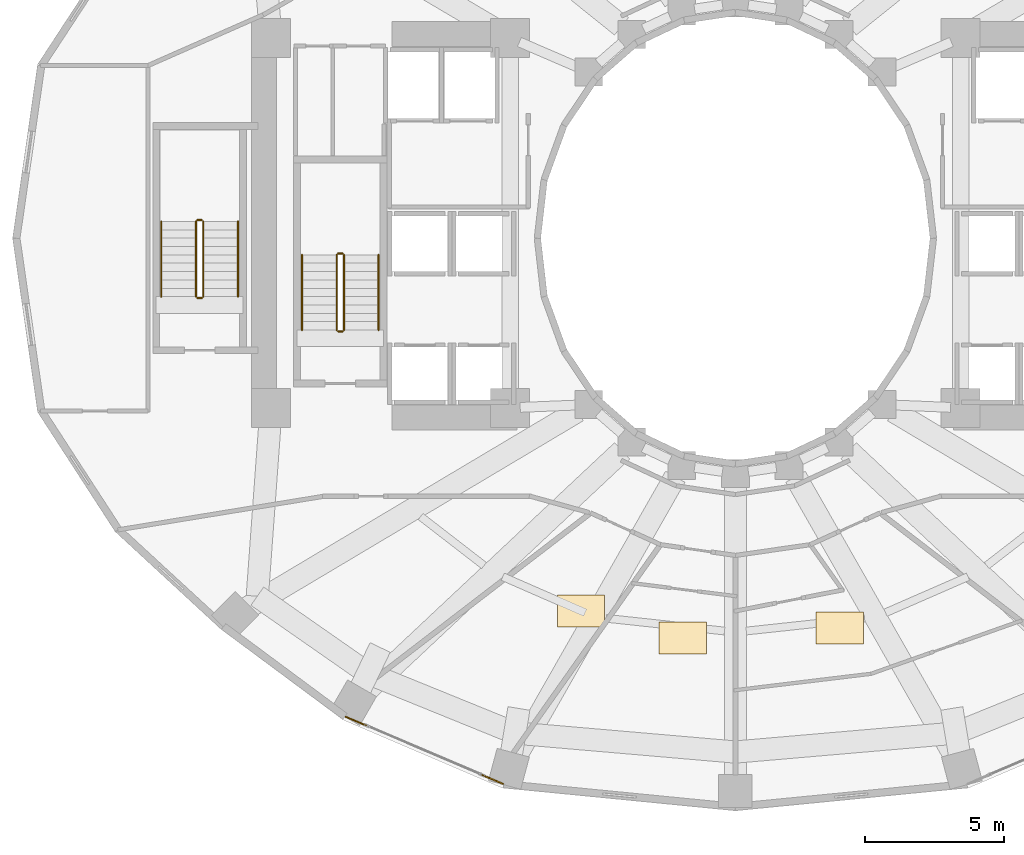
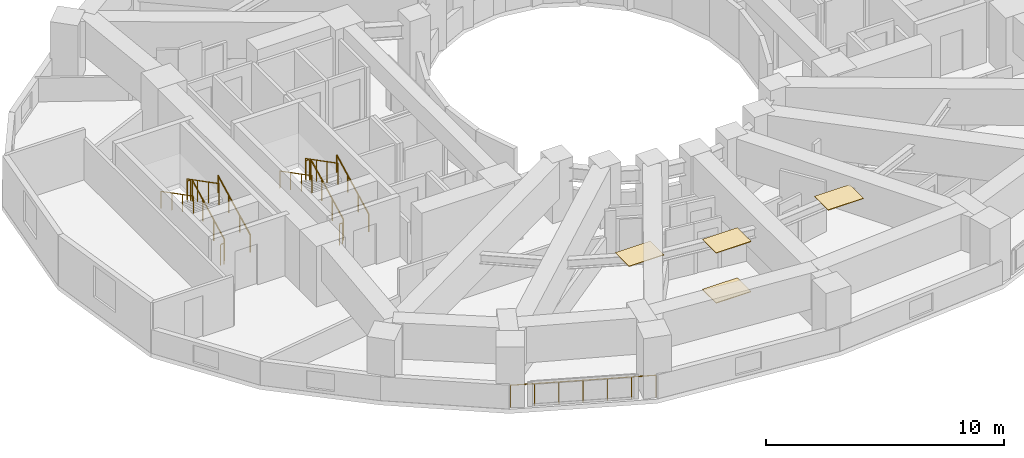
# One storey, part 14 of 16: 13 railings, 4 coverings.
"""IFC4 building model written with IfcOpenShell, lengths in metres."""

from ifc_helpers import new_model, si_unit, direction, frame, origin, origin_2d, place, context, subcontext, project, spatial, polyline, circle, outline, extrude, material, layer, layer_set, type_object, element, save


model = new_model("IFC4")

# Units and contexts
model_context = context("Model", 3, precision=1e-05, world=origin(), true_north=direction((0.0, 1.0)))
body_context = subcontext(model_context, "Body", "Model", "MODEL_VIEW")
ifc_project = project(units=[si_unit("LENGTHUNIT", "METRE"), si_unit("AREAUNIT", "SQUARE_METRE"), si_unit("VOLUMEUNIT", "CUBIC_METRE"), si_unit("PLANEANGLEUNIT", "RADIAN"), si_unit("MASSUNIT", "GRAM", prefix="KILO")], contexts=[model_context])

# Site, building, storey
site_placement = place(None, origin())
site = spatial("IfcSite", under=ifc_project, at=site_placement, CompositionType="ELEMENT")
building_placement = place(site_placement, origin())
building = spatial("IfcBuilding", under=site, at=building_placement, Name="Solvane Sanctuary Tower", CompositionType="ELEMENT")
storey_placement = place(building_placement, frame((0.0, 0.0, 61.699951171875)))
storey = spatial("IfcBuildingStorey", under=building, at=storey_placement, Name="L18", CompositionType="ELEMENT", Elevation=61.699951171875)

# Coverings
ifc_material_1 = material(Name="Acoustic Gypsum Partition Board")
ifc_layer_1 = layer(ifc_material_1, 0.02490234375, Name="Acoustic Gypsum Partition Board")
ifc_layer_set_1 = layer_set([ifc_layer_1], Name="Acoustic Gypsum Partition Board")
covering_type_1 = type_object("IfcCoveringType", Name="Covering CLG-ACOUST", PredefinedType="CEILING", material=ifc_layer_set_1)
covering_1_placement = place(storey_placement, frame((0.0, 0.0, 2.570068359375)))
element("IfcCovering", 1, at=covering_1_placement, inside=storey, type_object=covering_type_1, Name="L18 Unit Acoustic Ceiling Panel 4", PredefinedType="CEILING", context=body_context, shape_type="SweptSolid", body=[
    extrude(outline(polyline([(25.596923828125, 9.02001953125), (27.297119140625, 9.02001953125), (27.297119140625, 10.169921875), (25.596923828125, 10.169921875), (25.596923828125, 9.02001953125)])), origin(), (0.0, 0.0, 1.0), 0.030029296875),
])
covering_2_placement = place(storey_placement, frame((0.0, 0.0, 2.570068359375)))
element("IfcCovering", 2, at=covering_2_placement, inside=storey, type_object=covering_type_1, Name="L18 Unit Acoustic Ceiling Panel 5", PredefinedType="CEILING", context=body_context, shape_type="SweptSolid", body=[
    extrude(outline(polyline([(29.256103515625, 8.0390625), (30.9560546875, 8.0390625), (30.9560546875, 9.18896484375), (29.256103515625, 9.18896484375), (29.256103515625, 8.0390625)])), origin(), (0.0, 0.0, 1.0), 0.030029296875),
])
covering_3_placement = place(storey_placement, frame((0.0, 0.0, 2.570068359375)))
element("IfcCovering", 3, at=covering_3_placement, inside=storey, type_object=covering_type_1, Name="L18 Unit Acoustic Ceiling Panel 6", PredefinedType="CEILING", context=body_context, shape_type="SweptSolid", body=[
    extrude(outline(polyline([(34.905029296875, 8.408935546875), (36.60498046875, 8.408935546875), (36.60498046875, 9.55908203125), (34.905029296875, 9.55908203125), (34.905029296875, 8.408935546875)])), origin(), (0.0, 0.0, 1.0), 0.030029296875),
])
ifc_material_2 = material(Name="Ceramic Tile Finish")
ifc_layer_2 = layer(ifc_material_2, 0.030029296875, Name="Ceramic Tile Finish")
ifc_layer_set_2 = layer_set([ifc_layer_2], Name="Ceramic Tile Finish")
covering_type_2 = type_object("IfcCoveringType", Name="Covering FLR-TERRAZZO", PredefinedType="FLOORING", material=ifc_layer_set_2)
covering_4_placement = place(storey_placement, origin())
element("IfcCovering", 4, at=covering_4_placement, inside=storey, type_object=covering_type_2, Name="L18 Unit Terrazzo Inlay 5", PredefinedType="FLOORING", context=body_context, shape_type="SweptSolid", body=[
    extrude(outline(polyline([(29.256103515625, 8.0390625), (30.9560546875, 8.0390625), (30.9560546875, 9.18896484375), (29.256103515625, 9.18896484375), (29.256103515625, 8.0390625)])), origin(), (0.0, 0.0, 1.0), 0.03515625),
])

# Railings
ifc_material_3 = material(Name="Architectural Stainless Steel 316", Category="steel")
railing_type_1 = type_object("IfcRailingType", Name="Railing GR-BALC-1150", PredefinedType="BALUSTRADE", material=ifc_material_3)
railing_1_placement = place(storey_placement, frame((17.985595703125, 5.791259765625, 0.0)))
element("IfcRailing", 5, at=railing_1_placement, inside=storey, type_object=railing_type_1, Name="L18 Curtain-Wall Perimeter Sill Guard 16", PredefinedType="BALUSTRADE", context=body_context, shape_type="SweptSolid", body=[
    extrude(circle(Radius=0.02392578125, at=origin_2d()), frame((0.0, 0.0, 1.1259765625), z_axis=(0.919604392421, -0.392845722186, 0.0), x_axis=(0.392845722186, 0.919604392421, 0.0)), (0.0, 0.0, 1.0), 6.1494140625),
    extrude(circle(Radius=0.02099609375, at=origin_2d()), origin(), (0.0, 0.0, 1.0), 1.101806640625),
    extrude(circle(Radius=0.02099609375, at=origin_2d()), frame((0.9423828125, -0.402587890625, 0.0)), (0.0, 0.0, 1.0), 1.101806640625),
    extrude(circle(Radius=0.02099609375, at=origin_2d()), frame((1.885009765625, -0.80517578125, 0.0)), (0.0, 0.0, 1.0), 1.101806640625),
    extrude(circle(Radius=0.02099609375, at=origin_2d()), frame((2.82763671875, -1.2080078125, 0.0)), (0.0, 0.0, 1.0), 1.101806640625),
    extrude(circle(Radius=0.02099609375, at=origin_2d()), frame((3.77001953125, -1.610595703125, 0.0)), (0.0, 0.0, 1.0), 1.101806640625),
    extrude(circle(Radius=0.02099609375, at=origin_2d()), frame((4.71240234375, -2.01318359375, 0.0)), (0.0, 0.0, 1.0), 1.101806640625),
    extrude(circle(Radius=0.02099609375, at=origin_2d()), frame((5.655029296875, -2.415771484375, 0.0)), (0.0, 0.0, 1.0), 1.101806640625),
])
railing_2_placement = place(storey_placement, frame((17.919921875, 19.699951171875, 0.155029296875)))
element("IfcRailing", 6, at=railing_2_placement, inside=storey, type_object=railing_type_1, Name="L18 ST-1 stair guard 1", PredefinedType="BALUSTRADE", context=body_context, shape_type="SweptSolid", body=[
    extrude(circle(Radius=0.02392578125, at=origin_2d()), frame((0.0, 0.0, 1.076171875), z_axis=(0.0, 0.888419900624, 0.459031676658), x_axis=(-1.0, 0.0, 0.0)), (0.0, 0.0, 1.0), 3.0390625),
    extrude(circle(Radius=0.02099609375, at=origin_2d()), origin(), (0.0, 0.0, 1.0), 1.052001953125),
    extrude(circle(Radius=0.02099609375, at=origin_2d()), frame((0.0, 0.89990234375, 0.465087890625)), (0.0, 0.0, 1.0), 1.052001953125),
    extrude(circle(Radius=0.02099609375, at=origin_2d()), frame((0.0, 1.800048828125, 0.929931640625)), (0.0, 0.0, 1.0), 1.052001953125),
    extrude(circle(Radius=0.02099609375, at=origin_2d()), frame((0.0, 2.699951171875, 1.39501953125)), (0.0, 0.0, 1.0), 1.052001953125),
])
railing_3_placement = place(storey_placement, frame((17.8701171875, 22.449951171875, 1.550048828125)))
element("IfcRailing", 7, at=railing_3_placement, inside=storey, type_object=railing_type_1, Name="L18 ST-1 stair guard 2", PredefinedType="BALUSTRADE", context=body_context, shape_type="SweptSolid", body=[
    extrude(circle(Radius=0.02392578125, at=origin_2d()), frame((0.0, 0.0, 1.076171875), z_axis=(-1.0, 0.0, 0.0), x_axis=(0.0, -1.0, 0.0)), (0.0, 0.0, 1.0), 0.16015625),
    extrude(circle(Radius=0.02099609375, at=origin_2d()), origin(), (0.0, 0.0, 1.0), 1.052001953125),
    extrude(circle(Radius=0.02099609375, at=origin_2d()), frame((-0.16015625, 0.0, 0.0)), (0.0, 0.0, 1.0), 1.052001953125),
])
railing_4_placement = place(storey_placement, frame((17.659912109375, 22.39990234375, 1.705078125)))
element("IfcRailing", 8, at=railing_4_placement, inside=storey, type_object=railing_type_1, Name="L18 ST-1 stair guard 3", PredefinedType="BALUSTRADE", context=body_context, shape_type="SweptSolid", body=[
    extrude(circle(Radius=0.02392578125, at=origin_2d()), frame((0.0, 0.0, 1.076171875), z_axis=(0.0, -0.888419900624, 0.459031676658), x_axis=(1.0, 0.0, 0.0)), (0.0, 0.0, 1.0), 3.0390625),
    extrude(circle(Radius=0.02099609375, at=origin_2d()), origin(), (0.0, 0.0, 1.0), 1.052001953125),
    extrude(circle(Radius=0.02099609375, at=origin_2d()), frame((0.0, -0.89990234375, 0.465087890625)), (0.0, 0.0, 1.0), 1.052001953125),
    extrude(circle(Radius=0.02099609375, at=origin_2d()), frame((0.0, -1.800048828125, 0.929931640625)), (0.0, 0.0, 1.0), 1.052001953125),
    extrude(circle(Radius=0.02099609375, at=origin_2d()), frame((0.0, -2.699951171875, 1.39501953125)), (0.0, 0.0, 1.0), 1.052001953125),
])
railing_5_placement = place(storey_placement, frame((17.8701171875, 19.64990234375, 0.0)))
element("IfcRailing", 9, at=railing_5_placement, inside=storey, type_object=railing_type_1, Name="L18 ST-1 stair guard 4", PredefinedType="BALUSTRADE", context=body_context, shape_type="SweptSolid", body=[
    extrude(circle(Radius=0.02392578125, at=origin_2d()), frame((0.0, 0.0, 1.076171875), z_axis=(-1.0, 0.0, 0.0), x_axis=(0.0, -1.0, 0.0)), (0.0, 0.0, 1.0), 0.16015625),
    extrude(circle(Radius=0.02099609375, at=origin_2d()), origin(), (0.0, 0.0, 1.0), 1.052001953125),
    extrude(circle(Radius=0.02099609375, at=origin_2d()), frame((-0.16015625, 0.0, 0.0)), (0.0, 0.0, 1.0), 1.052001953125),
])
railing_6_placement = place(storey_placement, frame((12.860107421875, 20.89990234375, 0.155029296875)))
element("IfcRailing", 10, at=railing_6_placement, inside=storey, type_object=railing_type_1, Name="L18 ST-3 stair guard 1", PredefinedType="BALUSTRADE", context=body_context, shape_type="SweptSolid", body=[
    extrude(circle(Radius=0.02392578125, at=origin_2d()), frame((0.0, 0.0, 1.076171875), z_axis=(0.0, 0.888436826113, 0.458998917216), x_axis=(-1.0, 0.0, 0.0)), (0.0, 0.0, 1.0), 3.039306640625),
    extrude(circle(Radius=0.02099609375, at=origin_2d()), origin(), (0.0, 0.0, 1.0), 1.052001953125),
    extrude(circle(Radius=0.02099609375, at=origin_2d()), frame((0.0, 0.900146484375, 0.465087890625)), (0.0, 0.0, 1.0), 1.052001953125),
    extrude(circle(Radius=0.02099609375, at=origin_2d()), frame((0.0, 1.800048828125, 0.929931640625)), (0.0, 0.0, 1.0), 1.052001953125),
    extrude(circle(Radius=0.02099609375, at=origin_2d()), frame((0.0, 2.7001953125, 1.39501953125)), (0.0, 0.0, 1.0), 1.052001953125),
])
railing_7_placement = place(storey_placement, frame((12.81005859375, 23.64990234375, 1.550048828125)))
element("IfcRailing", 11, at=railing_7_placement, inside=storey, type_object=railing_type_1, Name="L18 ST-3 stair guard 2", PredefinedType="BALUSTRADE", context=body_context, shape_type="SweptSolid", body=[
    extrude(circle(Radius=0.02392578125, at=origin_2d()), frame((0.0, 0.0, 1.076171875), z_axis=(-1.0, 0.0, 0.0), x_axis=(0.0, -1.0, 0.0)), (0.0, 0.0, 1.0), 0.16015625),
    extrude(circle(Radius=0.02099609375, at=origin_2d()), origin(), (0.0, 0.0, 1.0), 1.052001953125),
    extrude(circle(Radius=0.02099609375, at=origin_2d()), frame((-0.16015625, 0.0, 0.0)), (0.0, 0.0, 1.0), 1.052001953125),
])
railing_8_placement = place(storey_placement, frame((12.60009765625, 23.60009765625, 1.705078125)))
element("IfcRailing", 12, at=railing_8_placement, inside=storey, type_object=railing_type_1, Name="L18 ST-3 stair guard 3", PredefinedType="BALUSTRADE", context=body_context, shape_type="SweptSolid", body=[
    extrude(circle(Radius=0.02392578125, at=origin_2d()), frame((0.0, 0.0, 1.076171875), z_axis=(0.0, -0.888436826113, 0.458998917216), x_axis=(1.0, 0.0, 0.0)), (0.0, 0.0, 1.0), 3.039306640625),
    extrude(circle(Radius=0.02099609375, at=origin_2d()), origin(), (0.0, 0.0, 1.0), 1.052001953125),
    extrude(circle(Radius=0.02099609375, at=origin_2d()), frame((0.0, -0.900146484375, 0.465087890625)), (0.0, 0.0, 1.0), 1.052001953125),
    extrude(circle(Radius=0.02099609375, at=origin_2d()), frame((0.0, -1.800048828125, 0.929931640625)), (0.0, 0.0, 1.0), 1.052001953125),
    extrude(circle(Radius=0.02099609375, at=origin_2d()), frame((0.0, -2.7001953125, 1.39501953125)), (0.0, 0.0, 1.0), 1.052001953125),
])
railing_9_placement = place(storey_placement, frame((12.81005859375, 20.85009765625, 0.0)))
element("IfcRailing", 13, at=railing_9_placement, inside=storey, type_object=railing_type_1, Name="L18 ST-3 stair guard 4", PredefinedType="BALUSTRADE", context=body_context, shape_type="SweptSolid", body=[
    extrude(circle(Radius=0.02392578125, at=origin_2d()), frame((0.0, 0.0, 1.076171875), z_axis=(-1.0, 0.0, 0.0), x_axis=(0.0, -1.0, 0.0)), (0.0, 0.0, 1.0), 0.16015625),
    extrude(circle(Radius=0.02099609375, at=origin_2d()), origin(), (0.0, 0.0, 1.0), 1.052001953125),
    extrude(circle(Radius=0.02099609375, at=origin_2d()), frame((-0.16015625, 0.0, 0.0)), (0.0, 0.0, 1.0), 1.052001953125),
])
railing_type_2 = type_object("IfcRailingType", Name="Railing HR-STAIR-920", PredefinedType="HANDRAIL", material=ifc_material_3)
railing_10_placement = place(storey_placement, frame((19.169921875, 19.699951171875, 0.155029296875)))
element("IfcRailing", 14, at=railing_10_placement, inside=storey, type_object=railing_type_2, Name="L18 ST-1 stair handrail 1", PredefinedType="HANDRAIL", context=body_context, shape_type="SweptSolid", body=[
    extrude(circle(Radius=0.02392578125, at=origin_2d()), frame((0.0, 0.0, 0.8759765625), z_axis=(0.0, 0.888419900624, 0.459031676658), x_axis=(-1.0, 0.0, 0.0)), (0.0, 0.0, 1.0), 3.0390625),
    extrude(circle(Radius=0.02099609375, at=origin_2d()), origin(), (0.0, 0.0, 1.0), 0.851806640625),
    extrude(circle(Radius=0.02099609375, at=origin_2d()), frame((0.0, 0.89990234375, 0.465087890625)), (0.0, 0.0, 1.0), 0.851806640625),
    extrude(circle(Radius=0.02099609375, at=origin_2d()), frame((0.0, 1.800048828125, 0.929931640625)), (0.0, 0.0, 1.0), 0.851806640625),
    extrude(circle(Radius=0.02099609375, at=origin_2d()), frame((0.0, 2.699951171875, 1.39501953125)), (0.0, 0.0, 1.0), 0.851806640625),
])
railing_11_placement = place(storey_placement, frame((16.409912109375, 22.39990234375, 1.705078125)))
element("IfcRailing", 15, at=railing_11_placement, inside=storey, type_object=railing_type_2, Name="L18 ST-1 stair handrail 2", PredefinedType="HANDRAIL", context=body_context, shape_type="SweptSolid", body=[
    extrude(circle(Radius=0.02392578125, at=origin_2d()), frame((0.0, 0.0, 0.8759765625), z_axis=(0.0, -0.888419900624, 0.459031676658), x_axis=(1.0, 0.0, 0.0)), (0.0, 0.0, 1.0), 3.0390625),
    extrude(circle(Radius=0.02099609375, at=origin_2d()), origin(), (0.0, 0.0, 1.0), 0.851806640625),
    extrude(circle(Radius=0.02099609375, at=origin_2d()), frame((0.0, -0.89990234375, 0.465087890625)), (0.0, 0.0, 1.0), 0.851806640625),
    extrude(circle(Radius=0.02099609375, at=origin_2d()), frame((0.0, -1.800048828125, 0.929931640625)), (0.0, 0.0, 1.0), 0.851806640625),
    extrude(circle(Radius=0.02099609375, at=origin_2d()), frame((0.0, -2.699951171875, 1.39501953125)), (0.0, 0.0, 1.0), 0.851806640625),
])
railing_12_placement = place(storey_placement, frame((14.110107421875, 20.89990234375, 0.155029296875)))
element("IfcRailing", 16, at=railing_12_placement, inside=storey, type_object=railing_type_2, Name="L18 ST-3 stair handrail 1", PredefinedType="HANDRAIL", context=body_context, shape_type="SweptSolid", body=[
    extrude(circle(Radius=0.02392578125, at=origin_2d()), frame((0.0, 0.0, 0.8759765625), z_axis=(0.0, 0.888436826113, 0.458998917216), x_axis=(-1.0, 0.0, 0.0)), (0.0, 0.0, 1.0), 3.039306640625),
    extrude(circle(Radius=0.02099609375, at=origin_2d()), origin(), (0.0, 0.0, 1.0), 0.851806640625),
    extrude(circle(Radius=0.02099609375, at=origin_2d()), frame((0.0, 0.900146484375, 0.465087890625)), (0.0, 0.0, 1.0), 0.851806640625),
    extrude(circle(Radius=0.02099609375, at=origin_2d()), frame((0.0, 1.800048828125, 0.929931640625)), (0.0, 0.0, 1.0), 0.851806640625),
    extrude(circle(Radius=0.02099609375, at=origin_2d()), frame((0.0, 2.7001953125, 1.39501953125)), (0.0, 0.0, 1.0), 0.851806640625),
])
railing_13_placement = place(storey_placement, frame((11.35009765625, 23.60009765625, 1.705078125)))
element("IfcRailing", 17, at=railing_13_placement, inside=storey, type_object=railing_type_2, Name="L18 ST-3 stair handrail 2", PredefinedType="HANDRAIL", context=body_context, shape_type="SweptSolid", body=[
    extrude(circle(Radius=0.02392578125, at=origin_2d()), frame((0.0, 0.0, 0.8759765625), z_axis=(0.0, -0.888436826113, 0.458998917216), x_axis=(1.0, 0.0, 0.0)), (0.0, 0.0, 1.0), 3.039306640625),
    extrude(circle(Radius=0.02099609375, at=origin_2d()), origin(), (0.0, 0.0, 1.0), 0.851806640625),
    extrude(circle(Radius=0.02099609375, at=origin_2d()), frame((0.0, -0.900146484375, 0.465087890625)), (0.0, 0.0, 1.0), 0.851806640625),
    extrude(circle(Radius=0.02099609375, at=origin_2d()), frame((0.0, -1.800048828125, 0.929931640625)), (0.0, 0.0, 1.0), 0.851806640625),
    extrude(circle(Radius=0.02099609375, at=origin_2d()), frame((0.0, -2.7001953125, 1.39501953125)), (0.0, 0.0, 1.0), 0.851806640625),
])

save(model, "model.ifc")
